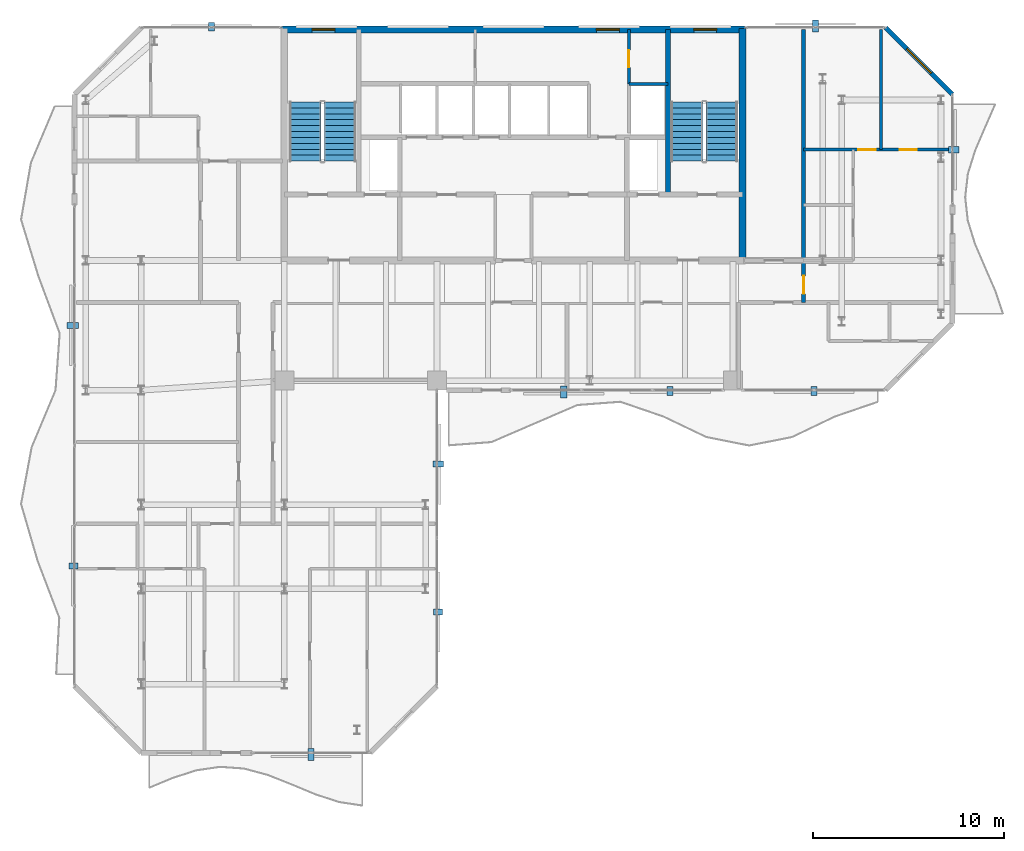
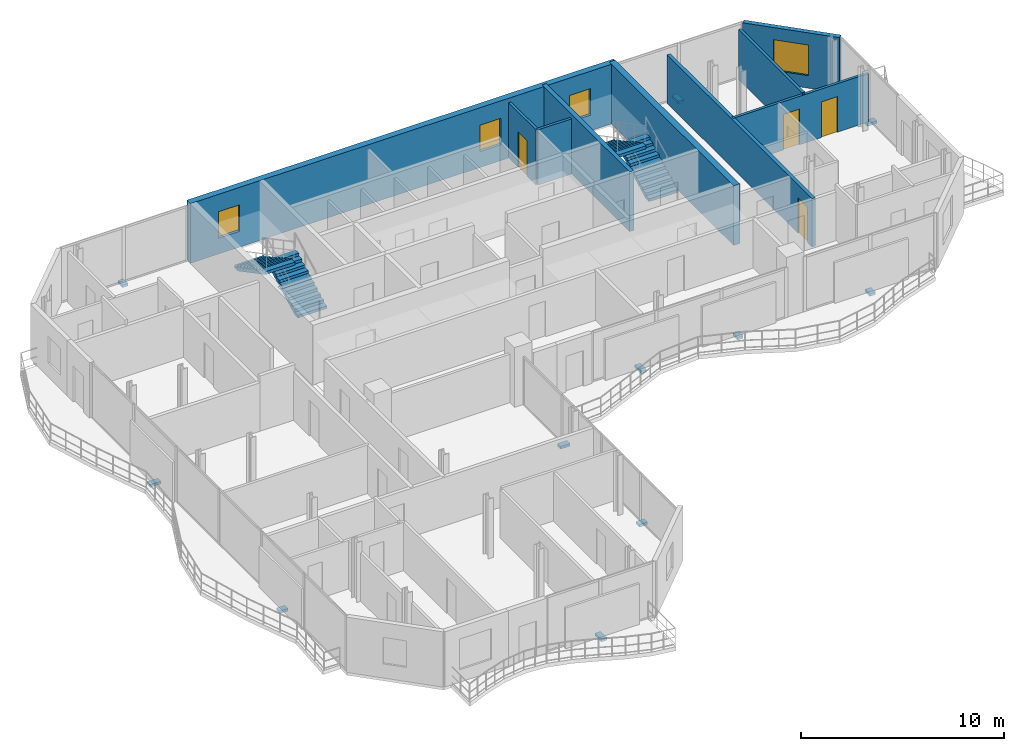
# One storey, part 20 of 23: 11 discrete accessories, 9 walls, 4 doors, 4 stair flights, 4 windows, 8 openings, 2 elements without a shape of their own.
"""IFC4 building model written with IfcOpenShell, lengths in metres."""

from ifc_helpers import new_model, si_unit, direction, frame, frame_2d, origin, origin_2d, place, context, subcontext, project, spatial, polyline, rectangle, outline, extrude, material, layer, layer_set, type_object, element, fill, aggregate, save


model = new_model("IFC4")

# Units and contexts
model_context = context("Model", 3, precision=1e-05, world=origin(), true_north=direction((0.0, 1.0)))
body_context = subcontext(model_context, "Body", "Model", "MODEL_VIEW")
ifc_project = project(units=[si_unit("LENGTHUNIT", "METRE"), si_unit("AREAUNIT", "SQUARE_METRE"), si_unit("VOLUMEUNIT", "CUBIC_METRE"), si_unit("PLANEANGLEUNIT", "RADIAN"), si_unit("MASSUNIT", "GRAM", prefix="KILO")], contexts=[model_context])

# Site, building, storey
site_placement = place(None, origin())
site = spatial("IfcSite", under=ifc_project, at=site_placement, CompositionType="ELEMENT")
building_placement = place(site_placement, origin())
building = spatial("IfcBuilding", under=site, at=building_placement, Name="Catumbela Crestline Tower", CompositionType="ELEMENT")
storey_placement = place(building_placement, frame((0.0, 0.0, 197.4)))
storey = spatial("IfcBuildingStorey", under=building, at=storey_placement, Name="L51", CompositionType="ELEMENT", Elevation=197.4)

# Walls
ifc_material_1 = material(Name="Concrete C50/60", Category="concrete")
ifc_layer_1 = layer(ifc_material_1, 0.25, Name="Concrete C50/60")
ifc_layer_set_1 = layer_set([ifc_layer_1], Name="Concrete C50/60")
wall_type_1 = type_object("IfcWallType", Name="CW-250D", PredefinedType="SHEAR", material=ifc_layer_set_1)
wall_1_placement = place(storey_placement, frame((36.1, 34.25, 0.0), z_axis=(0.0, 0.0, 1.0), x_axis=(0.0, 1.0, 0.0)))
element("IfcWall", 1, at=wall_1_placement, inside=storey, type_object=wall_type_1, Name="L51 Structural Core Shear Wall EWEB", PredefinedType="SHEAR", context=body_context, shape_type="SweptSolid", body=[
    extrude(rectangle(XDim=8.65, YDim=0.25, at=frame_2d((4.325, 0.0))), origin(), (0.0, 0.0, 1.0), 3.6),
])
ifc_layer_2 = layer(ifc_material_1, 0.35, Name="Concrete C50/60")
ifc_layer_set_2 = layer_set([ifc_layer_2], Name="Concrete C50/60")
wall_type_2 = type_object("IfcWallType", Name="CW-350B", PredefinedType="SHEAR", material=ifc_layer_set_2)
wall_2_placement = place(storey_placement, frame((40.0, 30.65, 0.0), z_axis=(0.0, 0.0, 1.0), x_axis=(0.0, 1.0, 0.0)))
element("IfcWall", 2, at=wall_2_placement, inside=storey, type_object=wall_type_2, Name="L51 Structural Core Shear Wall E", PredefinedType="SHEAR", context=body_context, shape_type="SweptSolid", body=[
    extrude(rectangle(XDim=12.3, YDim=0.35, at=frame_2d((6.15, 0.0))), origin(), (0.0, 0.0, 1.0), 3.6),
])

# Wall, openings, windows
ifc_layer_3 = layer(ifc_material_1, 0.35, Name="Concrete C50/60")
ifc_layer_set_3 = layer_set([ifc_layer_3], Name="Concrete C50/60")
wall_type_3 = type_object("IfcWallType", Name="CW-350E", PredefinedType="SHEAR", material=ifc_layer_set_3)
wall_3_placement = place(storey_placement, frame((15.85, 42.9, 0.0), z_axis=(0.0, 0.0, 1.0), x_axis=(1.0, 0.0, 0.0)))
wall_3 = element("IfcWall", 3, at=wall_3_placement, inside=storey, type_object=wall_type_3, Name="L51 Structural Core Shear Wall N", PredefinedType="SHEAR", context=body_context, shape_type="SweptSolid", body=[
    extrude(rectangle(XDim=24.3, YDim=0.35, at=frame_2d((12.15, 0.0))), origin(), (0.0, 0.0, 1.0), 3.6),
])
opening_1_placement = place(wall_3_placement, frame((1.6, 0.0, 0.95)))
opening_1 = element("IfcOpeningElement", 4, at=opening_1_placement, cuts=wall_3, Name="Opening WN-02", PredefinedType="OPENING", context=body_context, shape_type="SweptSolid", body=[
    extrude(rectangle(XDim=1.2, YDim=1.6, at=frame_2d((0.6, 0.8))), frame((0.0, 0.185, 0.0), z_axis=(0.0, -1.0, 0.0), x_axis=(1.0, 0.0, 0.0)), (0.0, 0.0, 1.0), 0.37),
])
opening_2_placement = place(wall_3_placement, frame((16.5, 0.0, 0.95)))
opening_2 = element("IfcOpeningElement", 5, at=opening_2_placement, cuts=wall_3, Name="Opening WN-02", PredefinedType="OPENING", context=body_context, shape_type="SweptSolid", body=[
    extrude(rectangle(XDim=1.2, YDim=1.6, at=frame_2d((0.6, 0.8))), frame((0.0, 0.185, 0.0), z_axis=(0.0, -1.0, 0.0), x_axis=(1.0, 0.0, 0.0)), (0.0, 0.0, 1.0), 0.37),
])
opening_3_placement = place(wall_3_placement, frame((21.6, 0.0, 0.95)))
opening_3 = element("IfcOpeningElement", 6, at=opening_3_placement, cuts=wall_3, Name="Opening WN-02", PredefinedType="OPENING", context=body_context, shape_type="SweptSolid", body=[
    extrude(rectangle(XDim=1.2, YDim=1.6, at=frame_2d((0.6, 0.8))), frame((0.0, 0.185, 0.0), z_axis=(0.0, -1.0, 0.0), x_axis=(1.0, 0.0, 0.0)), (0.0, 0.0, 1.0), 0.37),
])
ifc_material_2 = material(Name="Low-E laminated solar-control double glazing", Category="glass")
window_type_1 = type_object("IfcWindowType", Name="WO-1200", PartitioningType="SINGLE_PANEL", PredefinedType="WINDOW", material=ifc_material_2)
window_1_placement = place(opening_1_placement, origin())
window_1 = element("IfcWindow", 7, at=window_1_placement, inside=storey, type_object=window_type_1, Name="L51 North Core Daylight Vision Window 334", OverallHeight=1.6, OverallWidth=1.2, PartitioningType="SINGLE_PANEL", PredefinedType="WINDOW", context=body_context, shape_type="SweptSolid", body=[
    extrude(rectangle(XDim=1.2, YDim=1.6, at=frame_2d((0.6, 0.8))), frame((0.0, 0.03, 0.0), z_axis=(0.0, -1.0, 0.0), x_axis=(1.0, 0.0, 0.0)), (0.0, 0.0, 1.0), 0.06),
])
fill(opening_1, window_1)
window_2_placement = place(opening_2_placement, origin())
window_2 = element("IfcWindow", 8, at=window_2_placement, inside=storey, type_object=window_type_1, Name="L51 North Core Daylight Vision Window 335", OverallHeight=1.6, OverallWidth=1.2, PartitioningType="SINGLE_PANEL", PredefinedType="WINDOW", context=body_context, shape_type="SweptSolid", body=[
    extrude(rectangle(XDim=1.2, YDim=1.6, at=frame_2d((0.6, 0.8))), frame((0.0, 0.03, 0.0), z_axis=(0.0, -1.0, 0.0), x_axis=(1.0, 0.0, 0.0)), (0.0, 0.0, 1.0), 0.06),
])
fill(opening_2, window_2)
window_3_placement = place(opening_3_placement, origin())
window_3 = element("IfcWindow", 9, at=window_3_placement, inside=storey, type_object=window_type_1, Name="L51 North Core Daylight Vision Window 336", OverallHeight=1.6, OverallWidth=1.2, PartitioningType="SINGLE_PANEL", PredefinedType="WINDOW", context=body_context, shape_type="SweptSolid", body=[
    extrude(rectangle(XDim=1.2, YDim=1.6, at=frame_2d((0.6, 0.8))), frame((0.0, 0.03, 0.0), z_axis=(0.0, -1.0, 0.0), x_axis=(1.0, 0.0, 0.0)), (0.0, 0.0, 1.0), 0.06),
])
fill(opening_3, window_3)

# Wall, opening, door
ifc_material_3 = material(Name="Acoustic gypsum and mineral-wool partition")
ifc_layer_4 = layer(ifc_material_3, 0.2, Name="Acoustic gypsum and mineral-wool partition")
ifc_layer_set_4 = layer_set([ifc_layer_4], Name="Acoustic gypsum and mineral-wool partition")
wall_type_4 = type_object("IfcWallType", Name="WC-200", PredefinedType="PARTITIONING", material=ifc_layer_set_4)
wall_4_placement = place(storey_placement, frame((43.2, 28.6, 0.0), z_axis=(0.0, 0.0, 1.0), x_axis=(0.0, 1.0, 0.0)))
wall_4 = element("IfcWall", 10, at=wall_4_placement, inside=storey, type_object=wall_type_4, Name="L51 Interior Partition PW-L51-NE1-ENT", PredefinedType="PARTITIONING", context=body_context, shape_type="SweptSolid", body=[
    extrude(rectangle(XDim=14.3, YDim=0.2, at=frame_2d((7.15, 0.0))), origin(), (0.0, 0.0, 1.0), 2.92),
])
opening_4_placement = place(wall_4_placement, frame((0.445, 0.0, 0.0)))
opening_4 = element("IfcOpeningElement", 11, at=opening_4_placement, cuts=wall_4, Name="Opening DF6-095", PredefinedType="OPENING", context=body_context, shape_type="SweptSolid", body=[
    extrude(rectangle(XDim=0.95, YDim=2.15, at=frame_2d((0.475, 1.075))), frame((0.0, 0.11, 0.0), z_axis=(0.0, -1.0, 0.0), x_axis=(1.0, 0.0, 0.0)), (0.0, 0.0, 1.0), 0.22),
])
ifc_material_4 = material(Name="Aluminium alloy AW-6060-T66", Category="aluminium")
door_type_1 = type_object("IfcDoorType", Name="DF6-095", OperationType="NOTDEFINED", PredefinedType="DOOR", material=ifc_material_4)
door_1_placement = place(opening_4_placement, origin())
door_1 = element("IfcDoor", 12, at=door_1_placement, inside=storey, type_object=door_type_1, Name="L51 Interior Door DR-L51-NE1-ENT", OperationType="SINGLE_SWING_LEFT", OverallHeight=2.15, OverallWidth=0.95, PredefinedType="DOOR", context=body_context, shape_type="SweptSolid", body=[
    extrude(rectangle(XDim=0.95, YDim=2.15, at=frame_2d((0.475, 1.075))), frame((0.0, 0.025, 0.0), z_axis=(0.0, -1.0, 0.0), x_axis=(1.0, 0.0, 0.0)), (0.0, 0.0, 1.0), 0.05),
])
fill(opening_4, door_1)

# Wall, opening, window
ifc_material_5 = material(Name="Angolan grey-ochre granite", Category="masonry")
ifc_layer_5 = layer(ifc_material_5, 0.25, Name="Angolan grey-ochre granite")
ifc_layer_set_5 = layer_set([ifc_layer_5], Name="Angolan grey-ochre granite")
wall_type_5 = type_object("IfcWallType", Name="WE-250", PredefinedType="STANDARD", material=ifc_layer_set_5)
wall_5_placement = place(storey_placement, frame((51.0, 39.5, 0.0), z_axis=(0.0, 0.0, 1.0), x_axis=(-0.707106781187, 0.707106781187, 0.0)))
wall_5 = element("IfcWall", 13, at=wall_5_placement, inside=storey, type_object=wall_type_5, Name="L51 Granite Punched Window Wall 6-1", PredefinedType="STANDARD", context=body_context, shape_type="SweptSolid", body=[
    extrude(rectangle(XDim=4.9497, YDim=0.25, at=frame_2d((2.4748, 0.0))), origin(), (0.0, 0.0, 1.0), 3.33),
])
opening_5_placement = place(wall_5_placement, frame((1.5749, 0.0, 0.75)))
opening_5 = element("IfcOpeningElement", 14, at=opening_5_placement, cuts=wall_5, Name="Opening WN-01", PredefinedType="OPENING", context=body_context, shape_type="SweptSolid", body=[
    extrude(rectangle(XDim=1.8, YDim=1.85, at=frame_2d((0.9, 0.925))), frame((0.0, 0.135, 0.0), z_axis=(0.0, -1.0, 0.0), x_axis=(1.0, 0.0, 0.0)), (0.0, 0.0, 1.0), 0.27),
])
window_type_2 = type_object("IfcWindowType", Name="WF-1800", PartitioningType="SINGLE_PANEL", PredefinedType="WINDOW", material=ifc_material_2)
window_4_placement = place(opening_5_placement, origin())
window_4 = element("IfcWindow", 15, at=window_4_placement, inside=storey, type_object=window_type_2, Name="L51 Facade Vision Window 341", OverallHeight=1.85, OverallWidth=1.8, PartitioningType="SINGLE_PANEL", PredefinedType="WINDOW", context=body_context, shape_type="SweptSolid", body=[
    extrude(rectangle(XDim=1.8, YDim=1.85, at=frame_2d((0.9, 0.925))), frame((0.0, 0.03, 0.0), z_axis=(0.0, -1.0, 0.0), x_axis=(1.0, 0.0, 0.0)), (0.0, 0.0, 1.0), 0.06),
])
fill(opening_5, window_4)

# Wall
ifc_layer_6 = layer(ifc_material_3, 0.15, Name="Acoustic gypsum and mineral-wool partition")
ifc_layer_set_6 = layer_set([ifc_layer_6], Name="Acoustic gypsum and mineral-wool partition")
wall_type_6 = type_object("IfcWallType", Name="WP-150", PredefinedType="PARTITIONING", material=ifc_layer_set_6)
wall_6_placement = place(storey_placement, frame((34.05, 40.05, 0.0), z_axis=(0.0, 0.0, 1.0), x_axis=(1.0, 0.0, 0.0)))
element("IfcWall", 16, at=wall_6_placement, inside=storey, type_object=wall_type_6, Name="L51 Interior Partition PW-L51-CR-ES", PredefinedType="PARTITIONING", context=body_context, shape_type="SweptSolid", body=[
    extrude(rectangle(XDim=2.05, YDim=0.15, at=frame_2d((1.025, 0.0))), origin(), (0.0, 0.0, 1.0), 3.33),
])

# Wall, opening, door
wall_7_placement = place(storey_placement, frame((34.05, 40.05, 0.0), z_axis=(0.0, 0.0, 1.0), x_axis=(0.0, 1.0, 0.0)))
wall_7 = element("IfcWall", 17, at=wall_7_placement, inside=storey, type_object=wall_type_6, Name="L51 Interior Partition PW-L51-CR-EW", PredefinedType="PARTITIONING", context=body_context, shape_type="SweptSolid", body=[
    extrude(rectangle(XDim=2.85, YDim=0.15, at=frame_2d((1.425, 0.0))), origin(), (0.0, 0.0, 1.0), 3.33),
])
opening_6_placement = place(wall_7_placement, frame((0.865, 0.0, 0.0)))
opening_6 = element("IfcOpeningElement", 18, at=opening_6_placement, cuts=wall_7, Name="Opening DF9-090", PredefinedType="OPENING", context=body_context, shape_type="SweptSolid", body=[
    extrude(rectangle(XDim=0.9, YDim=2.15, at=frame_2d((0.45, 1.075))), frame((0.0, 0.085, 0.0), z_axis=(0.0, -1.0, 0.0), x_axis=(1.0, 0.0, 0.0)), (0.0, 0.0, 1.0), 0.17),
])
ifc_material_6 = material(Name="Stainless steel EN 1.4401", Category="steel")
door_type_2 = type_object("IfcDoorType", Name="DF9-090", OperationType="NOTDEFINED", PredefinedType="DOOR", material=ifc_material_6)
door_2_placement = place(opening_6_placement, origin())
door_2 = element("IfcDoor", 19, at=door_2_placement, inside=storey, type_object=door_type_2, Name="L51 Interior Door DR-L51-CREAST", OperationType="SINGLE_SWING_RIGHT", OverallHeight=2.15, OverallWidth=0.9, PredefinedType="DOOR", context=body_context, shape_type="SweptSolid", body=[
    extrude(rectangle(XDim=0.9, YDim=2.15, at=frame_2d((0.45, 1.075))), frame((0.0, 0.025, 0.0), z_axis=(0.0, -1.0, 0.0), x_axis=(1.0, 0.0, 0.0)), (0.0, 0.0, 1.0), 0.05),
])
fill(opening_6, door_2)

# Wall, openings, doors
wall_8_placement = place(storey_placement, frame((43.2, 36.608, 0.0), z_axis=(0.0, 0.0, 1.0), x_axis=(1.0, 0.0, 0.0)))
wall_8 = element("IfcWall", 20, at=wall_8_placement, inside=storey, type_object=wall_type_6, Name="L51 Interior Partition PW-L51-NE1-KBN", PredefinedType="PARTITIONING", context=body_context, shape_type="SweptSolid", body=[
    extrude(rectangle(XDim=7.7, YDim=0.15, at=frame_2d((3.85, 0.0))), origin(), (0.0, 0.0, 1.0), 2.92),
])
opening_7_placement = place(wall_8_placement, frame((2.875, 0.0, 0.0)))
opening_7 = element("IfcOpeningElement", 21, at=opening_7_placement, cuts=wall_8, Name="Opening DI-090", PredefinedType="OPENING", context=body_context, shape_type="SweptSolid", body=[
    extrude(rectangle(XDim=0.9, YDim=2.15, at=frame_2d((0.45, 1.075))), frame((0.0, 0.085, 0.0), z_axis=(0.0, -1.0, 0.0), x_axis=(1.0, 0.0, 0.0)), (0.0, 0.0, 1.0), 0.17),
])
opening_8_placement = place(wall_8_placement, frame((5.0274, 0.0, 0.0)))
opening_8 = element("IfcOpeningElement", 22, at=opening_8_placement, cuts=wall_8, Name="Opening DI-090", PredefinedType="OPENING", context=body_context, shape_type="SweptSolid", body=[
    extrude(rectangle(XDim=0.9, YDim=2.15, at=frame_2d((0.45, 1.075))), frame((0.0, 0.085, 0.0), z_axis=(0.0, -1.0, 0.0), x_axis=(1.0, 0.0, 0.0)), (0.0, 0.0, 1.0), 0.17),
])
door_type_3 = type_object("IfcDoorType", Name="DI-090", OperationType="NOTDEFINED", PredefinedType="DOOR", material=ifc_material_4)
door_3_placement = place(opening_7_placement, origin())
door_3 = element("IfcDoor", 23, at=door_3_placement, inside=storey, type_object=door_type_3, Name="L51 Interior Door DR-L51-NE1-BD1", OperationType="SINGLE_SWING_LEFT", OverallHeight=2.15, OverallWidth=0.9, PredefinedType="DOOR", context=body_context, shape_type="SweptSolid", body=[
    extrude(rectangle(XDim=0.9, YDim=2.15, at=frame_2d((0.45, 1.075))), frame((0.0, 0.025, 0.0), z_axis=(0.0, -1.0, 0.0), x_axis=(1.0, 0.0, 0.0)), (0.0, 0.0, 1.0), 0.05),
])
fill(opening_7, door_3)
door_4_placement = place(opening_8_placement, origin())
door_4 = element("IfcDoor", 24, at=door_4_placement, inside=storey, type_object=door_type_3, Name="L51 Interior Door DR-L51-NE1-BD2", OperationType="SINGLE_SWING_RIGHT", OverallHeight=2.15, OverallWidth=0.9, PredefinedType="DOOR", context=body_context, shape_type="SweptSolid", body=[
    extrude(rectangle(XDim=0.9, YDim=2.15, at=frame_2d((0.45, 1.075))), frame((0.0, 0.025, 0.0), z_axis=(0.0, -1.0, 0.0), x_axis=(1.0, 0.0, 0.0)), (0.0, 0.0, 1.0), 0.05),
])
fill(opening_8, door_4)

# Wall
wall_9_placement = place(storey_placement, frame((47.25, 36.608, 0.0), z_axis=(0.0, 0.0, 1.0), x_axis=(0.0, 1.0, 0.0)))
element("IfcWall", 25, at=wall_9_placement, inside=storey, type_object=wall_type_6, Name="L51 Interior Partition PW-L51-NE1-BDP", PredefinedType="PARTITIONING", context=body_context, shape_type="SweptSolid", body=[
    extrude(rectangle(XDim=6.292, YDim=0.15, at=frame_2d((3.146, 0.0))), origin(), (0.0, 0.0, 1.0), 3.02),
])

# Stair, stair flights
ifc_material_7 = material(Name="Concrete C45/55", Category="concrete")
stair_type = type_object("IfcStairType", Name="ST-DLG", PredefinedType="HALF_TURN_STAIR", material=ifc_material_7)
stair_1_placement = place(storey_placement, origin())
stair_1 = element("IfcStair", 26, at=stair_1_placement, inside=storey, type_object=stair_type, Name="L51 West Core Pressurised Exit Stair ST-01", PredefinedType="HALF_TURN_STAIR")
stair_flight_type = type_object("IfcStairFlightType", Name="SF-1636", PredefinedType="STRAIGHT", material=ifc_material_7)
stair_flight_1_placement = place(storey_placement, frame((18.92, 36.0, 0.0), z_axis=(0.0, 0.0, 1.0), x_axis=(0.0, 1.0, 0.0)))
stair_flight_1 = element("IfcStairFlight", 27, at=stair_flight_1_placement, type_object=stair_flight_type, Name="ST-01 flight 1", NumberOfRisers=11, NumberOfTreads=10, PredefinedType="STRAIGHT", RiserHeight=0.163636364, TreadLength=0.31, context=body_context, shape_type="SweptSolid", body=[
    extrude(outline(polyline([(0.0, 0.0), (0.0, 0.1636), (0.31, 0.1636), (0.31, 0.3273), (0.62, 0.3273), (0.62, 0.4909), (0.93, 0.4909), (0.93, 0.6545), (1.24, 0.6545), (1.24, 0.8182), (1.55, 0.8182), (1.55, 0.9818), (1.86, 0.9818), (1.86, 1.1455), (2.17, 1.1455), (2.17, 1.3091), (2.48, 1.3091), (2.48, 1.4727), (2.79, 1.4727), (2.79, 1.6364), (3.1, 1.6364), (3.1, 1.8), (3.1, 1.4554), (0.3427, 0.0), (0.0, 0.0)])), frame((0.0, 0.83, 0.0), z_axis=(0.0, -1.0, 0.0), x_axis=(1.0, 0.0, 0.0)), (0.0, 0.0, 1.0), 1.66),
])
stair_flight_2_placement = place(storey_placement, frame((17.08, 39.1, 1.8), z_axis=(0.0, 0.0, 1.0), x_axis=(0.0, -1.0, 0.0)))
stair_flight_2 = element("IfcStairFlight", 28, at=stair_flight_2_placement, type_object=stair_flight_type, Name="ST-01 flight 2", NumberOfRisers=11, NumberOfTreads=10, PredefinedType="STRAIGHT", RiserHeight=0.163636364, TreadLength=0.31, context=body_context, shape_type="SweptSolid", body=[
    extrude(outline(polyline([(0.0, 0.0), (0.0, 0.1636), (0.31, 0.1636), (0.31, 0.3273), (0.62, 0.3273), (0.62, 0.4909), (0.93, 0.4909), (0.93, 0.6545), (1.24, 0.6545), (1.24, 0.8182), (1.55, 0.8182), (1.55, 0.9818), (1.86, 0.9818), (1.86, 1.1455), (2.17, 1.1455), (2.17, 1.3091), (2.48, 1.3091), (2.48, 1.4727), (2.79, 1.4727), (2.79, 1.6364), (3.1, 1.6364), (3.1, 1.8), (3.1, 1.4554), (0.3427, 0.0), (0.0, 0.0)])), frame((0.0, 0.83, 0.0), z_axis=(0.0, -1.0, 0.0), x_axis=(1.0, 0.0, 0.0)), (0.0, 0.0, 1.0), 1.66),
])
aggregate(stair_1, [stair_flight_1, stair_flight_2])

stair_2_placement = place(storey_placement, origin())
stair_2 = element("IfcStair", 29, at=stair_2_placement, inside=storey, type_object=stair_type, Name="L51 East Core Pressurised Exit Stair ST-02", PredefinedType="HALF_TURN_STAIR")
stair_flight_3_placement = place(storey_placement, frame((38.92, 36.0, 0.0), z_axis=(0.0, 0.0, 1.0), x_axis=(0.0, 1.0, 0.0)))
stair_flight_3 = element("IfcStairFlight", 30, at=stair_flight_3_placement, type_object=stair_flight_type, Name="ST-02 flight 1", NumberOfRisers=11, NumberOfTreads=10, PredefinedType="STRAIGHT", RiserHeight=0.163636364, TreadLength=0.31, context=body_context, shape_type="SweptSolid", body=[
    extrude(outline(polyline([(0.0, 0.0), (0.0, 0.1636), (0.31, 0.1636), (0.31, 0.3273), (0.62, 0.3273), (0.62, 0.4909), (0.93, 0.4909), (0.93, 0.6545), (1.24, 0.6545), (1.24, 0.8182), (1.55, 0.8182), (1.55, 0.9818), (1.86, 0.9818), (1.86, 1.1455), (2.17, 1.1455), (2.17, 1.3091), (2.48, 1.3091), (2.48, 1.4727), (2.79, 1.4727), (2.79, 1.6364), (3.1, 1.6364), (3.1, 1.8), (3.1, 1.4554), (0.3427, 0.0), (0.0, 0.0)])), frame((0.0, 0.83, 0.0), z_axis=(0.0, -1.0, 0.0), x_axis=(1.0, 0.0, 0.0)), (0.0, 0.0, 1.0), 1.66),
])
stair_flight_4_placement = place(storey_placement, frame((37.08, 39.1, 1.8), z_axis=(0.0, 0.0, 1.0), x_axis=(0.0, -1.0, 0.0)))
stair_flight_4 = element("IfcStairFlight", 31, at=stair_flight_4_placement, type_object=stair_flight_type, Name="ST-02 flight 2", NumberOfRisers=11, NumberOfTreads=10, PredefinedType="STRAIGHT", RiserHeight=0.163636364, TreadLength=0.31, context=body_context, shape_type="SweptSolid", body=[
    extrude(outline(polyline([(0.0, 0.0), (0.0, 0.1636), (0.31, 0.1636), (0.31, 0.3273), (0.62, 0.3273), (0.62, 0.4909), (0.93, 0.4909), (0.93, 0.6545), (1.24, 0.6545), (1.24, 0.8182), (1.55, 0.8182), (1.55, 0.9818), (1.86, 0.9818), (1.86, 1.1455), (2.17, 1.1455), (2.17, 1.3091), (2.48, 1.3091), (2.48, 1.4727), (2.79, 1.4727), (2.79, 1.6364), (3.1, 1.6364), (3.1, 1.8), (3.1, 1.4554), (0.3427, 0.0), (0.0, 0.0)])), frame((0.0, 0.83, 0.0), z_axis=(0.0, -1.0, 0.0), x_axis=(1.0, 0.0, 0.0)), (0.0, 0.0, 1.0), 1.66),
])
aggregate(stair_2, [stair_flight_3, stair_flight_4])

# Discrete accessories
discrete_accessory_type = type_object("IfcDiscreteAccessoryType", Name="BK-SS1", PredefinedType="BRACKET", material=ifc_material_6)
discrete_accessory_1_placement = place(storey_placement, frame((17.4, 4.915, -0.18), z_axis=(0.0, 0.0, 1.0), x_axis=(1.0, 0.0, 0.0)))
element("IfcDiscreteAccessory", 32, at=discrete_accessory_1_placement, inside=storey, type_object=discrete_accessory_type, Name="L51 Solar Screen Stainless Bracket 608", PredefinedType="BRACKET", context=body_context, shape_type="SweptSolid", body=[
    extrude(rectangle(XDim=0.32, YDim=0.62, at=origin_2d()), origin(), (0.0, 0.0, 1.0), 0.16),
])
discrete_accessory_2_placement = place(storey_placement, frame((24.045, 12.375, -0.18), z_axis=(0.0, 0.0, 1.0), x_axis=(0.0, 1.0, 0.0)))
element("IfcDiscreteAccessory", 33, at=discrete_accessory_2_placement, inside=storey, type_object=discrete_accessory_type, Name="L51 Solar Screen Stainless Bracket 609", PredefinedType="BRACKET", context=body_context, shape_type="SweptSolid", body=[
    extrude(rectangle(XDim=0.32, YDim=0.46, at=origin_2d()), origin(), (0.0, 0.0, 1.0), 0.16),
])
discrete_accessory_3_placement = place(storey_placement, frame((24.065, 20.125, -0.18), z_axis=(0.0, 0.0, 1.0), x_axis=(0.0, 1.0, 0.0)))
element("IfcDiscreteAccessory", 34, at=discrete_accessory_3_placement, inside=storey, type_object=discrete_accessory_type, Name="L51 Solar Screen Stainless Bracket 610", PredefinedType="BRACKET", context=body_context, shape_type="SweptSolid", body=[
    extrude(rectangle(XDim=0.32, YDim=0.54, at=origin_2d()), origin(), (0.0, 0.0, 1.0), 0.16),
])
discrete_accessory_4_placement = place(storey_placement, frame((30.6375, 23.915, -0.18), z_axis=(0.0, 0.0, 1.0), x_axis=(1.0, 0.0, 0.0)))
element("IfcDiscreteAccessory", 35, at=discrete_accessory_4_placement, inside=storey, type_object=discrete_accessory_type, Name="L51 Solar Screen Stainless Bracket 611", PredefinedType="BRACKET", context=body_context, shape_type="SweptSolid", body=[
    extrude(rectangle(XDim=0.32, YDim=0.62, at=origin_2d()), origin(), (0.0, 0.0, 1.0), 0.16),
])
for number, where, z_axis, x_axis, name in (
    (36, (36.2125, 23.955, -0.18), (0.0, 0.0, 1.0), (1.0, 0.0, 0.0), "L51 Solar Screen Stainless Bracket 612"),
    (37, (43.75, 23.955, -0.18), (0.0, 0.0, 1.0), (1.0, 0.0, 0.0), "L51 Solar Screen Stainless Bracket 613"),
):
    element("IfcDiscreteAccessory", number, at=place(storey_placement, frame(where, z_axis=z_axis, x_axis=x_axis)), inside=storey, type_object=discrete_accessory_type, Name=name, PredefinedType="BRACKET", context=body_context, shape_type="SweptSolid", body=[
        extrude(rectangle(XDim=0.32, YDim=0.46, at=origin_2d()), origin(), (0.0, 0.0, 1.0), 0.16),
    ])
discrete_accessory_5_placement = place(storey_placement, frame((51.065, 36.6, -0.18), z_axis=(0.0, 0.0, 1.0), x_axis=(0.0, 1.0, 0.0)))
element("IfcDiscreteAccessory", 38, at=discrete_accessory_5_placement, inside=storey, type_object=discrete_accessory_type, Name="L51 Solar Screen Stainless Bracket 614", PredefinedType="BRACKET", context=body_context, shape_type="SweptSolid", body=[
    extrude(rectangle(XDim=0.32, YDim=0.54, at=origin_2d()), origin(), (0.0, 0.0, 1.0), 0.16),
])
discrete_accessory_6_placement = place(storey_placement, frame((43.82, 43.085, -0.18), z_axis=(0.0, 0.0, 1.0), x_axis=(-1.0, 0.0, 0.0)))
element("IfcDiscreteAccessory", 39, at=discrete_accessory_6_placement, inside=storey, type_object=discrete_accessory_type, Name="L51 Solar Screen Stainless Bracket 615", PredefinedType="BRACKET", context=body_context, shape_type="SweptSolid", body=[
    extrude(rectangle(XDim=0.32, YDim=0.62, at=origin_2d()), origin(), (0.0, 0.0, 1.0), 0.16),
])
discrete_accessory_7_placement = place(storey_placement, frame((12.18, 43.045, -0.18), z_axis=(0.0, 0.0, 1.0), x_axis=(-1.0, 0.0, 0.0)))
element("IfcDiscreteAccessory", 40, at=discrete_accessory_7_placement, inside=storey, type_object=discrete_accessory_type, Name="L51 Solar Screen Stainless Bracket 616", PredefinedType="BRACKET", context=body_context, shape_type="SweptSolid", body=[
    extrude(rectangle(XDim=0.32, YDim=0.46, at=origin_2d()), origin(), (0.0, 0.0, 1.0), 0.16),
])
discrete_accessory_8_placement = place(storey_placement, frame((4.915, 27.4, -0.18), z_axis=(0.0, 0.0, 1.0), x_axis=(0.0, -1.0, 0.0)))
element("IfcDiscreteAccessory", 41, at=discrete_accessory_8_placement, inside=storey, type_object=discrete_accessory_type, Name="L51 Solar Screen Stainless Bracket 617", PredefinedType="BRACKET", context=body_context, shape_type="SweptSolid", body=[
    extrude(rectangle(XDim=0.32, YDim=0.62, at=origin_2d()), origin(), (0.0, 0.0, 1.0), 0.16),
])
discrete_accessory_9_placement = place(storey_placement, frame((4.955, 14.8, -0.18), z_axis=(0.0, 0.0, 1.0), x_axis=(0.0, -1.0, 0.0)))
element("IfcDiscreteAccessory", 42, at=discrete_accessory_9_placement, inside=storey, type_object=discrete_accessory_type, Name="L51 Solar Screen Stainless Bracket 618", PredefinedType="BRACKET", context=body_context, shape_type="SweptSolid", body=[
    extrude(rectangle(XDim=0.32, YDim=0.46, at=origin_2d()), origin(), (0.0, 0.0, 1.0), 0.16),
])

save(model, "model.ifc")
